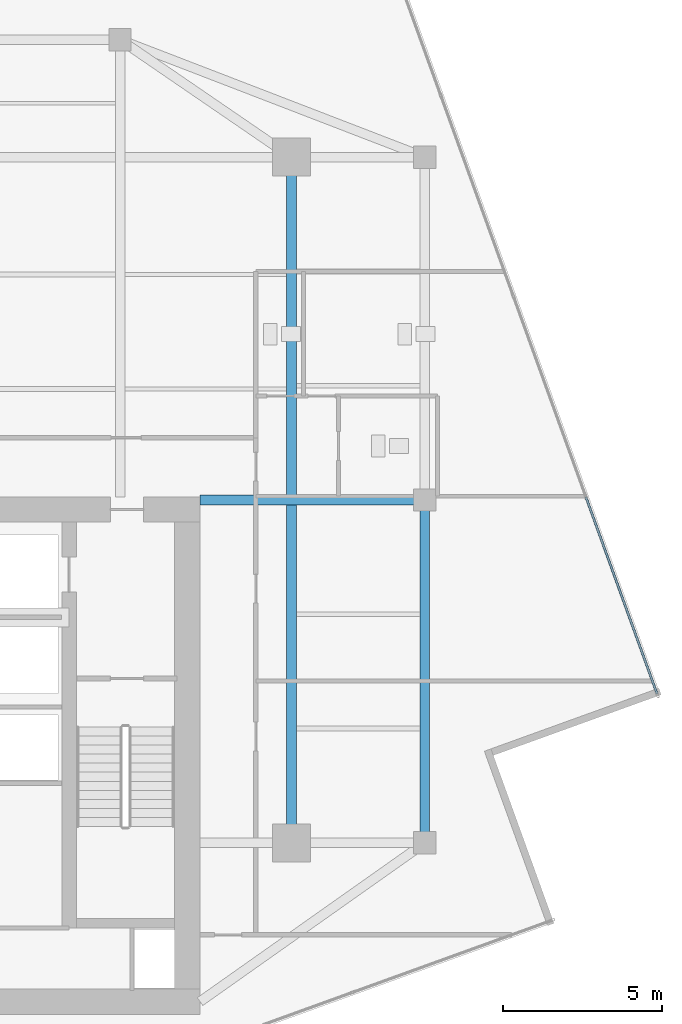
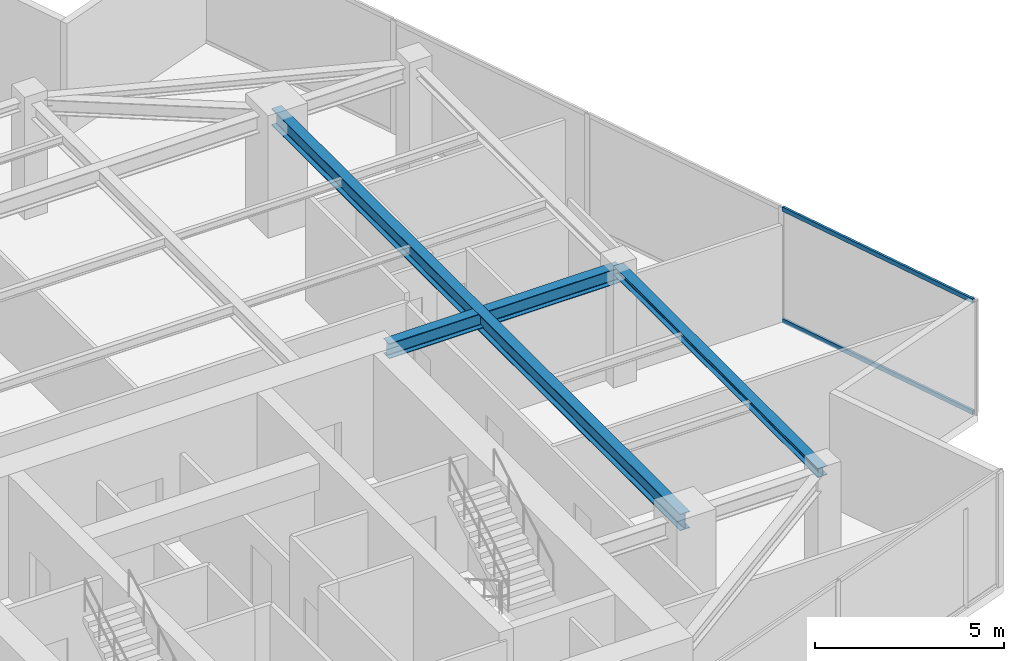
# One storey, part 10 of 21: 3 beams, 2 members, 1 element without a shape of its own.
"""IFC4 building model written with IfcOpenShell, lengths in metres."""

from ifc_helpers import new_model, si_unit, direction, frame, origin, origin_2d, place, context, subcontext, project, spatial, hollow_rectangle, i_section, extrude, source, transform, mapped, material, material_profile, profile_set, type_object, type_shapes, element, aggregate, save


model = new_model("IFC4")

# Units and contexts
model_context = context("Model", 3, precision=1e-05, world=origin(), true_north=direction((0.0, 1.0)))
body_context = subcontext(model_context, "Body", "Model", "MODEL_VIEW")
ifc_project = project(units=[si_unit("LENGTHUNIT", "METRE"), si_unit("AREAUNIT", "SQUARE_METRE"), si_unit("VOLUMEUNIT", "CUBIC_METRE"), si_unit("PLANEANGLEUNIT", "RADIAN"), si_unit("MASSUNIT", "GRAM", prefix="KILO")], contexts=[model_context])

# Site, building, storey
site_placement = place(None, origin())
site = spatial("IfcSite", under=ifc_project, at=site_placement, CompositionType="ELEMENT")
building_placement = place(site_placement, origin())
building = spatial("IfcBuilding", under=site, at=building_placement, Name="Krantzveldt Concourse Tower", CompositionType="ELEMENT")
storey_placement = place(building_placement, frame((0.0, 0.0, 331.64990234375)))
storey = spatial("IfcBuildingStorey", under=building, at=storey_placement, Name="L81", CompositionType="ELEMENT", Elevation=331.64990234375)

# Beams
ifc_material_1 = material(Name="Steel S355JR", Category="steel")
ifc_material_profile_1 = material_profile(ifc_material_1, i_section(OverallWidth=0.300048828125, OverallDepth=0.489990234375, WebThickness=0.011962890625, FlangeThickness=0.02294921875, FilletRadius=0.027099609375, at=origin_2d()), Name="Steel S355JR", Category="steel")
ifc_profile_set_1 = profile_set([ifc_material_profile_1], Name="Steel S355JR - HEA 500")
beam_type_1 = type_object("IfcBeamType", Name="BM-B-HEA500", PredefinedType="BEAM", material=ifc_profile_set_1)
shared_shape_1 = source(origin(), body_context, "Body", "SweptSolid", [
    extrude(i_section(OverallWidth=0.300048828125, OverallDepth=0.489990234375, WebThickness=0.011962890625, FlangeThickness=0.02294921875, FilletRadius=0.027099609375, at=origin_2d()), origin(), (0.0, 0.0, 1.0), 7.080078125),
])
type_shapes(beam_type_1, [shared_shape_1])
beam_1_placement = place(storey_placement, frame((43.919921875, 26.699951171875, 3.425048828125), z_axis=(1.0, 0.0, 0.0), x_axis=(0.0, 1.0, 0.0)))
element("IfcBeam", 1, at=beam_1_placement, inside=storey, type_object=beam_type_1, Name="L81 Tower Girder BG-CE2", PredefinedType="BEAM", context=body_context, shape_type="MappedRepresentation", body=[
    mapped(shared_shape_1, transform((0.0, 0.0, 0.0), x_axis=(1.0, 0.0, 0.0), y_axis=(0.0, 1.0, 0.0), z_axis=(0.0, 0.0, 1.0), scale=1.0)),
])
ifc_material_profile_2 = material_profile(ifc_material_1, i_section(OverallWidth=0.300048828125, OverallDepth=0.5400390625, WebThickness=0.012451171875, FlangeThickness=0.02392578125, FilletRadius=0.027099609375, at=origin_2d()), Name="Steel S355JR", Category="steel")
ifc_profile_set_2 = profile_set([ifc_material_profile_2], Name="Steel S355JR - HEA 550")
beam_type_2 = type_object("IfcBeamType", Name="BM-B-HEA550", PredefinedType="BEAM", material=ifc_profile_set_2)
shared_shape_2 = source(origin(), body_context, "Body", "SweptSolid", [
    extrude(i_section(OverallWidth=0.300048828125, OverallDepth=0.5400390625, WebThickness=0.012451171875, FlangeThickness=0.02392578125, FilletRadius=0.027099609375, at=origin_2d()), origin(), (0.0, 0.0, 1.0), 21.60009765625),
])
type_shapes(beam_type_2, [shared_shape_2])
beam_2_placement = place(storey_placement, frame((46.800048828125, 15.89990234375, 3.400146484375), z_axis=(0.0, 1.0, 0.0), x_axis=(-1.0, 0.0, 0.0)))
element("IfcBeam", 2, at=beam_2_placement, inside=storey, type_object=beam_type_2, Name="L81 Tower Girder BG-ME", PredefinedType="BEAM", context=body_context, shape_type="MappedRepresentation", body=[
    mapped(shared_shape_2, transform((0.0, 0.0, 0.0), x_axis=(1.0, 0.0, 0.0), y_axis=(0.0, 1.0, 0.0), z_axis=(0.0, 0.0, 1.0), scale=1.0)),
])
ifc_material_profile_3 = material_profile(ifc_material_1, i_section(OverallWidth=0.2900390625, OverallDepth=0.2900390625, WebThickness=0.008544921875, FlangeThickness=0.013916015625, FilletRadius=0.027099609375, at=origin_2d()), Name="Steel S355JR", Category="steel")
ifc_profile_set_3 = profile_set([ifc_material_profile_3], Name="Steel S355JR - HEA 300")
beam_type_3 = type_object("IfcBeamType", Name="BM-SP-HEA300", PredefinedType="SPANDREL", material=ifc_profile_set_3)
shared_shape_3 = source(origin(), body_context, "Body", "SweptSolid", [
    extrude(i_section(OverallWidth=0.2900390625, OverallDepth=0.2900390625, WebThickness=0.008544921875, FlangeThickness=0.013916015625, FilletRadius=0.027099609375, at=origin_2d()), origin(), (0.0, 0.0, 1.0), 10.800048828125),
])
type_shapes(beam_type_3, [shared_shape_3])
beam_3_placement = place(storey_placement, frame((51.0, 26.699951171875, 3.525146484375), z_axis=(0.0, -1.0, 0.0), x_axis=(1.0, 0.0, 0.0)))
element("IfcBeam", 3, at=beam_3_placement, inside=storey, type_object=beam_type_3, Name="L81 Tower Girder SP-R07", PredefinedType="SPANDREL", context=body_context, shape_type="MappedRepresentation", body=[
    mapped(shared_shape_3, transform((0.0, 0.0, 0.0), x_axis=(1.0, 0.0, 0.0), y_axis=(0.0, 1.0, 0.0), z_axis=(0.0, 0.0, 1.0), scale=1.0)),
])

# Curtain wall, members
ifc_material_2 = material(Name="Anodised aluminium 6063-T6", Category="aluminium")
curtain_wall_type = type_object("IfcCurtainWallType", Name="CW4", PredefinedType="USERDEFINED", material=ifc_material_2)
curtain_wall_placement = place(storey_placement, origin())
curtain_wall = element("IfcCurtainWall", 4, at=curtain_wall_placement, inside=storey, type_object=curtain_wall_type, Name="CW-L81-F10", ObjectType="UNITISED CURTAIN WALL", PredefinedType="USERDEFINED")
ifc_material_profile_4 = material_profile(ifc_material_2, hollow_rectangle(XDim=0.070068359375, YDim=0.139892578125, WallThickness=0.0048828125, at=origin_2d()), Name="Anodised aluminium 6063-T6", Category="aluminium")
ifc_profile_set_4 = profile_set([ifc_material_profile_4], Name="Anodised aluminium 6063-T6 - ALU-TRAN 140x70x5")
member_type = type_object("IfcMemberType", Name="CW-TRN-150", PredefinedType="USERDEFINED", material=ifc_profile_set_4)
shared_shape_4 = source(origin(), body_context, "Body", "SweptSolid", [
    extrude(hollow_rectangle(XDim=0.070068359375, YDim=0.139892578125, WallThickness=0.0048828125, at=origin_2d()), origin(), (0.0, 0.0, 1.0), 6.594970703125),
])
type_shapes(member_type, [shared_shape_4])
member_1_placement = place(storey_placement, frame((58.3154296875, 20.5927734375, 0.03515625), z_axis=(-0.339982843811, 0.940431638086, 0.0), x_axis=(-0.940431638086, -0.339982843811, 0.0)))
member_1 = element("IfcMember", 5, at=member_1_placement, type_object=member_type, Name="CW-Z56 transom 1.1", ObjectType="TRANSOM", PredefinedType="USERDEFINED", context=body_context, shape_type="MappedRepresentation", body=[
    mapped(shared_shape_4, transform((0.0, 0.0, 0.0), x_axis=(1.0, 0.0, 0.0), y_axis=(0.0, 1.0, 0.0), z_axis=(0.0, 0.0, 1.0), scale=1.0)),
])
member_2_placement = place(storey_placement, frame((58.3154296875, 20.5927734375, 3.635009765625), z_axis=(-0.339982843811, 0.940431638086, 0.0), x_axis=(-0.940431638086, -0.339982843811, 0.0)))
member_2 = element("IfcMember", 6, at=member_2_placement, type_object=member_type, Name="CW-Z56 transom 1.2", ObjectType="TRANSOM", PredefinedType="USERDEFINED", context=body_context, shape_type="MappedRepresentation", body=[
    mapped(shared_shape_4, transform((0.0, 0.0, 0.0), x_axis=(1.0, 0.0, 0.0), y_axis=(0.0, 1.0, 0.0), z_axis=(0.0, 0.0, 1.0), scale=1.0)),
])
aggregate(curtain_wall, [member_1, member_2])

save(model, "model.ifc")
